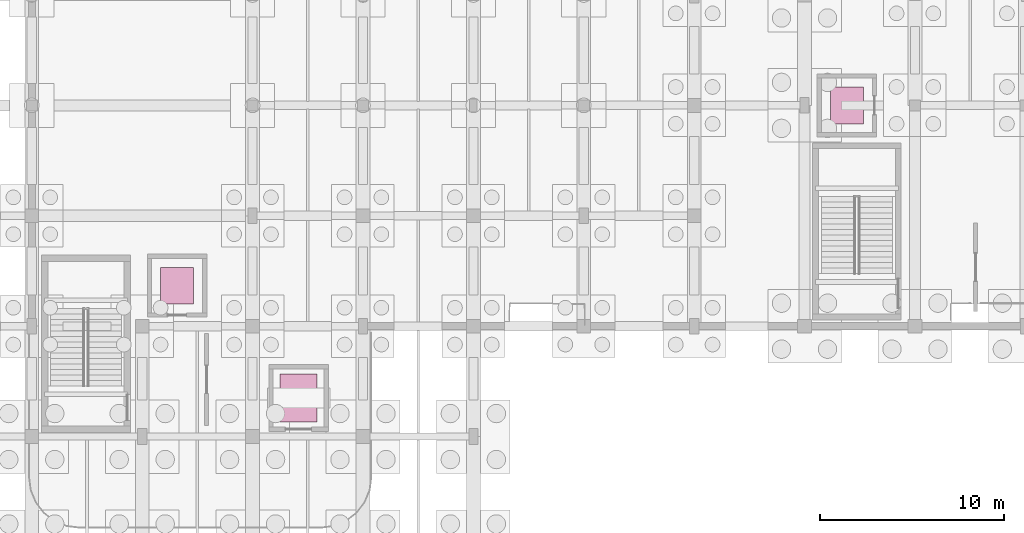
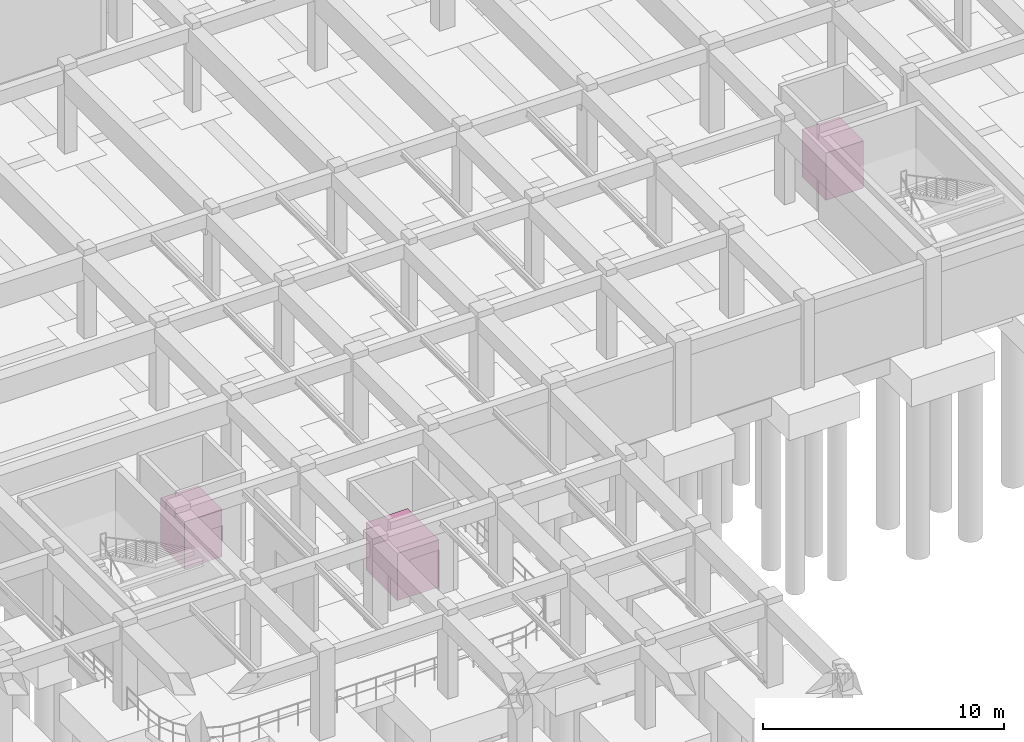
# One storey, part 32 of 32: 3 transport elements.
"""IFC4 building model written with IfcOpenShell, lengths in metres."""

import ifcopenshell
import ifcopenshell.guid

model = None  # the IFC model being written
_history = None  # IfcOwnerHistory: only IFC2X3 demands one
_inside = {}  # id of a spatial element -> (the spatial element, [elements in it])
_under = {}  # id of a project, library or spatial element -> (it, [spatial elements below it])
_declared = {}  # id of a project -> (the project, [libraries it declares])
_typed = {}  # id of a type object -> (the type object, [elements of that type])
_made_of = {}  # id of a material, layer set ... -> (it, [elements and type objects made of it])


def new_model(schema):
    """Start an empty IFC model of exactly this schema.

    Asked for "IFC4X3", IfcOpenShell would pick the latest addendum, in which some entities
    have other attributes; the version numbers below select the first issue.
    IFC2X3 requires an IfcOwnerHistory on every rooted entity: one is made here for all.
    """
    global model, _history
    if schema == "IFC4X3":
        model = ifcopenshell.file(schema_version=(4, 3, 0, 0))
    else:
        model = ifcopenshell.file(schema=schema)
    _inside.clear()
    _under.clear()
    _declared.clear()
    _typed.clear()
    _made_of.clear()
    _history = None
    if model.schema == "IFC2X3":
        org = make("IfcOrganization", Name="unknown")
        user = make(
            "IfcPersonAndOrganization",
            ThePerson=make("IfcPerson", FamilyName="unknown"),
            TheOrganization=org,
        )
        app = make(
            "IfcApplication",
            ApplicationDeveloper=org,
            Version="unknown",
            ApplicationFullName="unknown",
            ApplicationIdentifier="unknown",
        )
        _history = make(
            "IfcOwnerHistory",
            OwningUser=user,
            OwningApplication=app,
            ChangeAction="ADDED",
            CreationDate=0,
        )
    return model


def make(cls, **values):
    """One entity of the class cls with the attributes given. An attribute that is None is left unset."""
    return model.create_entity(
        cls, **{name: value for name, value in values.items() if value is not None}
    )


def rooted(cls, **values):
    """An entity with a GlobalId (a new one), such as an element, a storey or a relation."""
    return make(cls, GlobalId=ifcopenshell.guid.new(), OwnerHistory=_history, **values)


def si_unit(unit_type, name, prefix=None):
    """IfcSIUnit, for example si_unit("LENGTHUNIT", "METRE", prefix="MILLI")."""
    return make("IfcSIUnit", UnitType=unit_type, Prefix=prefix, Name=name)


def assignment(units):
    """IfcUnitAssignment: the units of a project."""
    return None if units is None else make("IfcUnitAssignment", Units=units)


def point(xyz):
    """IfcCartesianPoint."""
    return None if xyz is None else make("IfcCartesianPoint", Coordinates=xyz)


def direction(xyz):
    """IfcDirection."""
    return None if xyz is None else make("IfcDirection", DirectionRatios=xyz)


def frame(location, z_axis=None, x_axis=None):
    """IfcAxis2Placement3D, a coordinate frame: its origin and axes. An axis left out is left unset."""
    return make(
        "IfcAxis2Placement3D",
        Location=point(location),
        Axis=direction(z_axis),
        RefDirection=direction(x_axis),
    )


def frame_2d(location, x_axis=None):
    """IfcAxis2Placement2D, a coordinate frame in the plane: its origin and x axis."""
    return make(
        "IfcAxis2Placement2D", Location=point(location), RefDirection=direction(x_axis)
    )


def origin():
    """The frame at (0, 0, 0) with its axes left unset."""
    return frame((0.0, 0.0, 0.0))


def origin_2d():
    """The frame at (0, 0) in the plane with its x axis left unset."""
    return frame_2d((0.0, 0.0))


def place(relative_to, where):
    """IfcLocalPlacement: puts the frame where relative to a parent placement (None: the world)."""
    return make(
        "IfcLocalPlacement", PlacementRelTo=relative_to, RelativePlacement=where
    )


def context(
    kind, dimensions, precision=None, world=None, true_north=None, identifier=None
):
    """IfcGeometricRepresentationContext, for example the 3D "Model" context."""
    return make(
        "IfcGeometricRepresentationContext",
        ContextIdentifier=identifier,
        ContextType=kind,
        CoordinateSpaceDimension=dimensions,
        Precision=precision,
        WorldCoordinateSystem=world,
        TrueNorth=true_north,
    )


def subcontext(parent, identifier, kind, view, scale=None):
    """IfcGeometricRepresentationSubContext, for example "Body" below "Model"."""
    return make(
        "IfcGeometricRepresentationSubContext",
        ContextIdentifier=identifier,
        ContextType=kind,
        ParentContext=parent,
        TargetScale=scale,
        TargetView=view,
    )


def project(units=None, contexts=None):
    """IfcProject with its units and contexts."""
    return rooted(
        "IfcProject",
        Name="project",
        RepresentationContexts=contexts,
        UnitsInContext=assignment(units),
    )


def spatial(cls, under=None, at=None, **own):
    """A site, building, storey or space (cls), placed at a placement, below another one or the project."""
    s = rooted(cls, ObjectPlacement=at, **own)
    if under is not None:
        _under.setdefault(under.id(), (under, []))[1].append(s)
    return s


def profile(cls, at=None, kind="AREA", **sizes):
    """A parametric profile (cls). Its sizes go by their IFC names, for example OverallWidth=200.0."""
    return make(cls, ProfileType=kind, Position=at, **sizes)


def rectangle(**sizes):
    """IfcRectangleProfileDef."""
    return profile("IfcRectangleProfileDef", **sizes)


def extrude(swept, where, along, depth):
    """IfcExtrudedAreaSolid: the profile swept, set in the frame where, extruded along a direction by depth."""
    return make(
        "IfcExtrudedAreaSolid",
        SweptArea=swept,
        Position=where,
        ExtrudedDirection=direction(along),
        Depth=depth,
    )


def shape(context_of_items, identifier, shape_type, items):
    """IfcShapeRepresentation: the items that make up one representation, for example the "Body"."""
    return make(
        "IfcShapeRepresentation",
        ContextOfItems=context_of_items,
        RepresentationIdentifier=identifier,
        RepresentationType=shape_type,
        Items=items,
    )


def material(Name=None, Category=None):
    """IfcMaterial."""
    return make("IfcMaterial", Name=Name, Category=Category)


def made_of(thing, what):
    """Note that an element or type object is made of a material, layer set ...; save() writes the relation."""
    if what is not None:
        _made_of.setdefault(what.id(), (what, []))[1].append(thing)
    return thing


def type_object(cls, material=None, **own):
    """A type object (cls), such as IfcWallType, which elements share."""
    return made_of(rooted(cls, **own), material)


def element(
    cls,
    number,
    at=None,
    inside=None,
    cuts=None,
    type_object=None,
    material=None,
    context=None,
    identifier="Body",
    shape_type=None,
    held_by="IfcProductDefinitionShape",
    body=None,
    shapes=None,
    **own,
):
    """One element of the class cls, such as IfcWall. Its Tag is "e" and its number.

    at: its placement. inside: the storey or other place that contains it. cuts: it is an
    opening in that element (IfcRelVoidsElement). A single representation is given by context,
    identifier, shape_type and body (its items); several are given by shapes. held_by: the class
    of the entity that holds the representations. save() writes the other relations.
    """
    e = rooted(cls, Tag="e%d" % number, ObjectPlacement=at, **own)
    if body is not None:
        shapes = [shape(context, identifier, shape_type, body)]
    if shapes is not None:
        e.Representation = make(held_by, Representations=shapes)
    if inside is not None:
        _inside.setdefault(inside.id(), (inside, []))[1].append(e)
    if cuts is not None:
        rooted(
            "IfcRelVoidsElement", RelatingBuildingElement=cuts, RelatedOpeningElement=e
        )
    if type_object is not None:
        _typed.setdefault(type_object.id(), (type_object, []))[1].append(e)
    return made_of(e, material)


def aggregate(whole, parts):
    """IfcRelAggregates: a whole, such as a stair, and the parts it consists of."""
    return rooted("IfcRelAggregates", RelatingObject=whole, RelatedObjects=parts)


def save(model, path):
    """Write the relations noted so far, then the file.

    IfcRelAggregates (storeys below a building ...), IfcRelContainedInSpatialStructure (elements
    in a storey), IfcRelDefinesByType, IfcRelAssociatesMaterial and IfcRelDeclares: one each for
    every whole, place, type object, material and project.
    """
    for whole, parts in _under.values():
        aggregate(whole, parts)
    for where, things in _inside.values():
        rooted(
            "IfcRelContainedInSpatialStructure",
            RelatedElements=things,
            RelatingStructure=where,
        )
    for kind, things in _typed.values():
        rooted("IfcRelDefinesByType", RelatedObjects=things, RelatingType=kind)
    for what, things in _made_of.values():
        rooted("IfcRelAssociatesMaterial", RelatedObjects=things, RelatingMaterial=what)
    for by, libraries in _declared.values():
        rooted("IfcRelDeclares", RelatingContext=by, RelatedDefinitions=libraries)
    model.write(path)


model = new_model("IFC4")

# Units and contexts
model_context = context("Model", 3, precision=1e-05, world=origin(), true_north=direction((0.0, 1.0)))
body_context = subcontext(model_context, "Body", "Model", "MODEL_VIEW")
ifc_project = project(units=[si_unit("LENGTHUNIT", "METRE"), si_unit("AREAUNIT", "SQUARE_METRE"), si_unit("VOLUMEUNIT", "CUBIC_METRE"), si_unit("PLANEANGLEUNIT", "RADIAN"), si_unit("MASSUNIT", "GRAM", prefix="KILO")], contexts=[model_context])

# Site, building, storey
site_placement = place(None, origin())
site = spatial("IfcSite", under=ifc_project, at=site_placement, CompositionType="ELEMENT")
building_placement = place(site_placement, origin())
building = spatial("IfcBuilding", under=site, at=building_placement, Name="Varnakota Square Police Headquarters", CompositionType="ELEMENT")
storey_placement = place(building_placement, frame((0.0, 0.0, -4.5)))
storey = spatial("IfcBuildingStorey", under=building, at=storey_placement, Name="B1", CompositionType="ELEMENT", Elevation=-4.5)

# Transport elements
ifc_material_1 = material(Name="Heavy-Duty Stainless Steel Goods Lift Car", Category="steel")
transport_element_type_1 = type_object("IfcTransportElementType", Name="LFT-GDS-2500", PredefinedType="ELEVATOR", material=ifc_material_1)
transport_element_placement = place(storey_placement, frame((32.5, 65.10009765625, 0.0), z_axis=(0.0, 0.0, 1.0), x_axis=(1.0, 0.0, 0.0)))
element("IfcTransportElement", 1, at=transport_element_placement, inside=storey, type_object=transport_element_type_1, Name="Goods lift LF-G1", PredefinedType="ELEVATOR", context=body_context, shape_type="SweptSolid", body=[
    extrude(rectangle(XDim=2.0, YDim=2.60009765625, at=origin_2d()), origin(), (0.0, 0.0, 1.0), 2.39990234375),
])
ifc_material_2 = material(Name="Brushed Stainless Steel Passenger Lift Car", Category="steel")
transport_element_type_2 = type_object("IfcTransportElementType", Name="LFT-PAX-1360", PredefinedType="ELEVATOR", material=ifc_material_2)
for number, where, z_axis, x_axis, name in (
    (2, (25.89990234375, 71.199951171875, 0.0), (0.0, 0.0, 1.0), (1.0, 0.0, 0.0), "Passenger lift LF-P3"),
    (3, (62.300048828125, 81.0, 0.0), (0.0, 0.0, 1.0), (1.0, 0.0, 0.0), "Passenger lift LF-P4"),
):
    element("IfcTransportElement", number, at=place(storey_placement, frame(where, z_axis=z_axis, x_axis=x_axis)), inside=storey, type_object=transport_element_type_2, Name=name, PredefinedType="ELEVATOR", context=body_context, shape_type="SweptSolid", body=[
        extrude(rectangle(XDim=1.800048828125, YDim=2.0, at=origin_2d()), origin(), (0.0, 0.0, 1.0), 2.39990234375),
    ])

save(model, "model.ifc")
